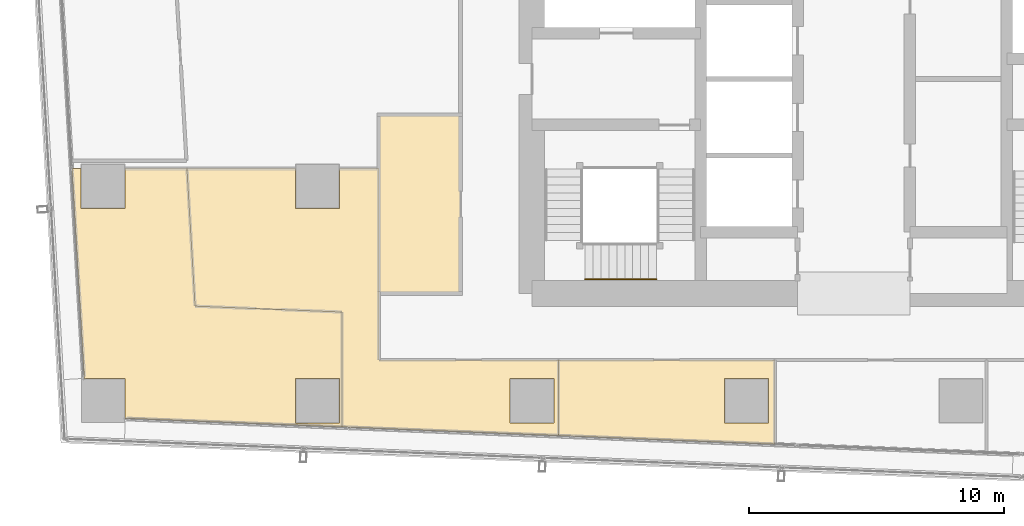
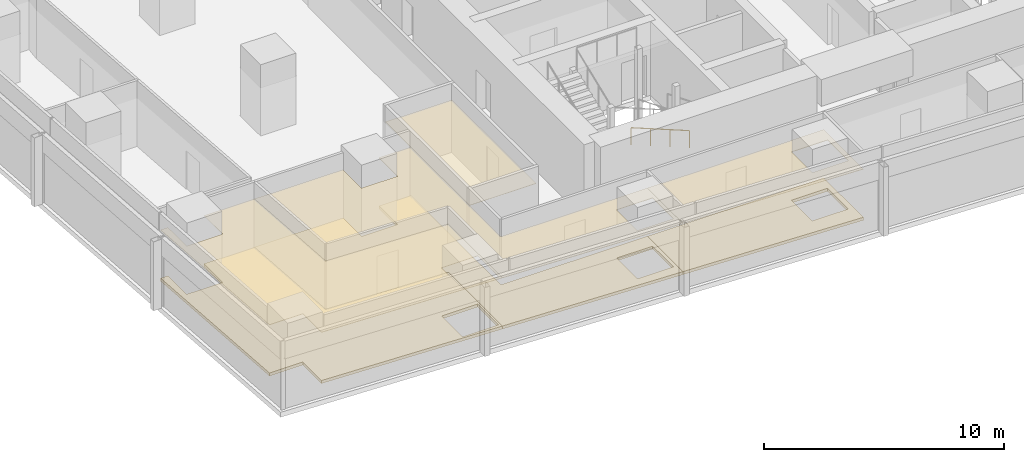
# One storey, part 32 of 39: 7 coverings, 1 railing.
"""IFC4 building model written with IfcOpenShell, lengths in metres."""

from ifc_helpers import new_model, si_unit, direction, frame, origin, origin_2d, place, context, subcontext, project, spatial, polyline, circle, outline, extrude, material, layer, layer_set, type_object, element, save


model = new_model("IFC4")

# Units and contexts
model_context = context("Model", 3, precision=1e-05, world=origin(), true_north=direction((0.0, 1.0)))
body_context = subcontext(model_context, "Body", "Model", "MODEL_VIEW")
ifc_project = project(units=[si_unit("LENGTHUNIT", "METRE"), si_unit("AREAUNIT", "SQUARE_METRE"), si_unit("VOLUMEUNIT", "CUBIC_METRE"), si_unit("PLANEANGLEUNIT", "RADIAN"), si_unit("MASSUNIT", "GRAM", prefix="KILO")], contexts=[model_context])

# Site, building, storey
site_placement = place(None, origin())
site = spatial("IfcSite", under=ifc_project, at=site_placement, CompositionType="ELEMENT")
building_placement = place(site_placement, origin())
building = spatial("IfcBuilding", under=site, at=building_placement, Name="Rekha Terrace Tower", CompositionType="ELEMENT")
storey_placement = place(building_placement, frame((0.0, 0.0, 180.199951171875)))
storey = spatial("IfcBuildingStorey", under=building, at=storey_placement, Name="L45", CompositionType="ELEMENT", Elevation=180.199951171875)

# Coverings
ifc_material_1 = material(Name="Mineral fibre tile in exposed grid", Category="finish")
ifc_layer_1 = layer(ifc_material_1, 0.02001953125)
ifc_layer_set_1 = layer_set([ifc_layer_1], Name="Mineral fibre tile in exposed grid")
covering_type_1 = type_object("IfcCoveringType", Name="CL1 600x1200 office grid ceiling", PredefinedType="CEILING", material=ifc_layer_set_1)
covering_1_placement = place(storey_placement, frame((0.0, 0.0, 2.580078125)))
element("IfcCovering", 1, at=covering_1_placement, inside=storey, type_object=covering_type_1, Name="Ceiling L45-07", PredefinedType="CEILING", context=body_context, shape_type="SweptSolid", body=[
    extrude(outline(polyline([(7.534912109375, 24.3349609375), (7.534912109375, 25.887939453125), (7.179931640625, 25.887939453125), (7.6640625, 17.6650390625), (9.264892578125, 17.6650390625), (9.264892578125, 16.111083984375), (17.759033203125, 15.77197265625), (17.759033203125, 20.27490234375), (12.0048828125, 20.5048828125), (11.68798828125, 25.887939453125), (9.264892578125, 25.887939453125), (9.264892578125, 24.3349609375), (7.534912109375, 24.3349609375)]), holes=[polyline([(17.6650390625, 17.6650390625), (17.6650390625, 15.93505859375), (15.93505859375, 15.93505859375), (15.93505859375, 17.6650390625), (17.6650390625, 17.6650390625)])]), origin(), (0.0, 0.0, 1.0), 0.02001953125),
])
covering_2_placement = place(storey_placement, frame((0.0, 0.0, 2.580078125)))
element("IfcCovering", 2, at=covering_2_placement, inside=storey, type_object=covering_type_1, Name="Ceiling L45-08", PredefinedType="CEILING", context=body_context, shape_type="SweptSolid", body=[
    extrude(outline(polyline([(17.759033203125, 15.77197265625), (26.23291015625, 15.43310546875), (26.23291015625, 18.39990234375), (19.199951171875, 18.39990234375), (19.199951171875, 25.887939453125), (17.6650390625, 25.887939453125), (17.6650390625, 24.3349609375), (15.93505859375, 24.3349609375), (15.93505859375, 25.887939453125), (11.68798828125, 25.887939453125), (12.0048828125, 20.5048828125), (17.759033203125, 20.27490234375), (17.759033203125, 15.77197265625)]), holes=[polyline([(26.06494140625, 17.6650390625), (26.06494140625, 15.93505859375), (24.3349609375, 15.93505859375), (24.3349609375, 17.6650390625), (26.06494140625, 17.6650390625)])]), origin(), (0.0, 0.0, 1.0), 0.02001953125),
])
covering_3_placement = place(storey_placement, frame((0.0, 0.0, 2.580078125)))
element("IfcCovering", 3, at=covering_3_placement, inside=storey, type_object=covering_type_1, Name="Ceiling L45-09", PredefinedType="CEILING", context=body_context, shape_type="SweptSolid", body=[
    extrude(outline(polyline([(34.705078125, 15.094970703125), (34.705078125, 18.39990234375), (26.23291015625, 18.39990234375), (26.23291015625, 15.43310546875), (34.705078125, 15.094970703125)]), holes=[polyline([(34.465087890625, 15.93505859375), (32.735107421875, 15.93505859375), (32.735107421875, 17.6650390625), (34.465087890625, 17.6650390625), (34.465087890625, 15.93505859375)])]), origin(), (0.0, 0.0, 1.0), 0.02001953125),
])
ifc_material_2 = material(Name="Fibre cement board", Category="finish")
ifc_layer_2 = layer(ifc_material_2, 0.014892578125)
ifc_layer_set_2 = layer_set([ifc_layer_2], Name="Fibre cement board")
covering_type_2 = type_object("IfcCoveringType", Name="CL2 moisture-resistant board ceiling", PredefinedType="CEILING", material=ifc_layer_set_2)
covering_4_placement = place(storey_placement, frame((0.0, 0.0, 2.5849609375)))
element("IfcCovering", 4, at=covering_4_placement, inside=storey, type_object=covering_type_2, Name="Ceiling L45-WCM", PredefinedType="CEILING", context=body_context, shape_type="SweptSolid", body=[
    extrude(outline(polyline([(22.39990234375, 28.0), (19.199951171875, 28.0), (19.199951171875, 21.0), (22.39990234375, 21.0), (22.39990234375, 28.0)])), origin(), (0.0, 0.0, 1.0), 0.01513671875),
])

# Railing
ifc_material_3 = material(Name="Stainless steel tube", Category="steel")
railing_type = type_object("IfcRailingType", Name="HR1 900 stair handrail", PredefinedType="HANDRAIL", material=ifc_material_3)
railing_placement = place(storey_placement, frame((30.074951171875, 21.56005859375, 1.375)))
element("IfcRailing", 5, at=railing_placement, inside=storey, type_object=railing_type, Name="Handrail ST1 L45 flight 2", PredefinedType="HANDRAIL", context=body_context, shape_type="SweptSolid", body=[
    extrude(circle(Radius=0.02392578125, at=origin_2d()), frame((0.0, 0.0, 0.8759765625), z_axis=(-0.927443287984, 0.0, 0.373963831907), x_axis=(0.0, -1.0, 0.0)), (0.0, 0.0, 1.0), 3.00830078125),
    extrude(circle(Radius=0.02099609375, at=origin_2d()), origin(), (0.0, 0.0, 1.0), 0.851806640625),
    extrude(circle(Radius=0.02099609375, at=origin_2d()), frame((-0.929931640625, 0.0, 0.375)), (0.0, 0.0, 1.0), 0.851806640625),
    extrude(circle(Radius=0.02099609375, at=origin_2d()), frame((-1.860107421875, 0.0, 0.75)), (0.0, 0.0, 1.0), 0.851806640625),
    extrude(circle(Radius=0.02099609375, at=origin_2d()), frame((-2.7900390625, 0.0, 1.125)), (0.0, 0.0, 1.0), 0.851806640625),
])

# Coverings
ifc_material_4 = material(Name="Calcium sulphate panels on steel pedestals", Category="steel")
ifc_layer_3 = layer(ifc_material_4, 0.14990234375)
ifc_layer_set_3 = layer_set([ifc_layer_3], Name="Calcium sulphate panels on steel pedestals")
covering_type_3 = type_object("IfcCoveringType", Name="RF1 150 raised access floor", PredefinedType="FLOORING", material=ifc_layer_set_3)
covering_5_placement = place(storey_placement, origin())
element("IfcCovering", 6, at=covering_5_placement, inside=storey, type_object=covering_type_3, Name="Raised floor L45-07", PredefinedType="FLOORING", context=body_context, shape_type="SweptSolid", body=[
    extrude(outline(polyline([(7.534912109375, 24.3349609375), (7.534912109375, 25.887939453125), (7.179931640625, 25.887939453125), (7.6640625, 17.6650390625), (9.264892578125, 17.6650390625), (9.264892578125, 16.111083984375), (17.759033203125, 15.77197265625), (17.759033203125, 20.27490234375), (12.0048828125, 20.5048828125), (11.68798828125, 25.887939453125), (9.264892578125, 25.887939453125), (9.264892578125, 24.3349609375), (7.534912109375, 24.3349609375)]), holes=[polyline([(17.6650390625, 17.6650390625), (17.6650390625, 15.93505859375), (15.93505859375, 15.93505859375), (15.93505859375, 17.6650390625), (17.6650390625, 17.6650390625)])]), origin(), (0.0, 0.0, 1.0), 0.150146484375),
])
covering_6_placement = place(storey_placement, origin())
element("IfcCovering", 7, at=covering_6_placement, inside=storey, type_object=covering_type_3, Name="Raised floor L45-08", PredefinedType="FLOORING", context=body_context, shape_type="SweptSolid", body=[
    extrude(outline(polyline([(17.759033203125, 15.77197265625), (26.23291015625, 15.43310546875), (26.23291015625, 18.39990234375), (19.199951171875, 18.39990234375), (19.199951171875, 25.887939453125), (17.6650390625, 25.887939453125), (17.6650390625, 24.3349609375), (15.93505859375, 24.3349609375), (15.93505859375, 25.887939453125), (11.68798828125, 25.887939453125), (12.0048828125, 20.5048828125), (17.759033203125, 20.27490234375), (17.759033203125, 15.77197265625)]), holes=[polyline([(26.06494140625, 17.6650390625), (26.06494140625, 15.93505859375), (24.3349609375, 15.93505859375), (24.3349609375, 17.6650390625), (26.06494140625, 17.6650390625)])]), origin(), (0.0, 0.0, 1.0), 0.150146484375),
])
covering_7_placement = place(storey_placement, origin())
element("IfcCovering", 8, at=covering_7_placement, inside=storey, type_object=covering_type_3, Name="Raised floor L45-09", PredefinedType="FLOORING", context=body_context, shape_type="SweptSolid", body=[
    extrude(outline(polyline([(34.705078125, 15.094970703125), (34.705078125, 18.39990234375), (26.23291015625, 18.39990234375), (26.23291015625, 15.43310546875), (34.705078125, 15.094970703125)]), holes=[polyline([(34.465087890625, 15.93505859375), (32.735107421875, 15.93505859375), (32.735107421875, 17.6650390625), (34.465087890625, 17.6650390625), (34.465087890625, 15.93505859375)])]), origin(), (0.0, 0.0, 1.0), 0.150146484375),
])

save(model, "model.ifc")
